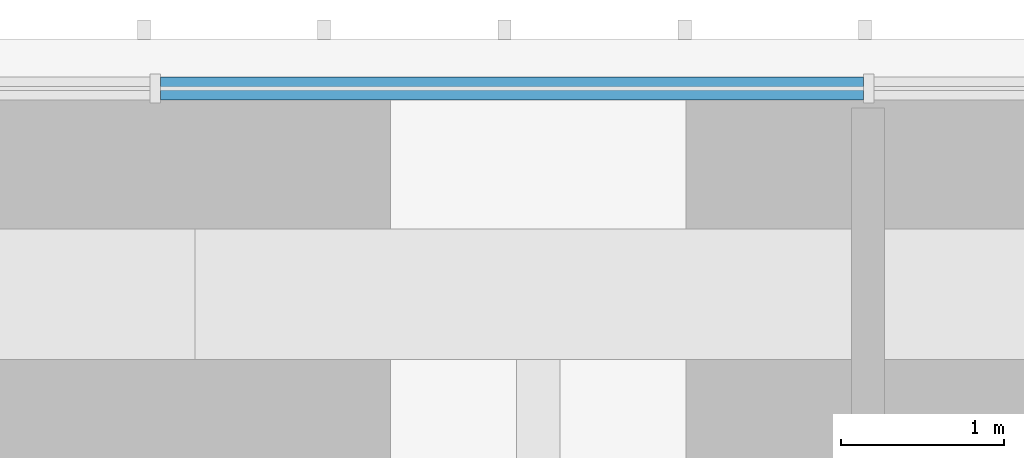
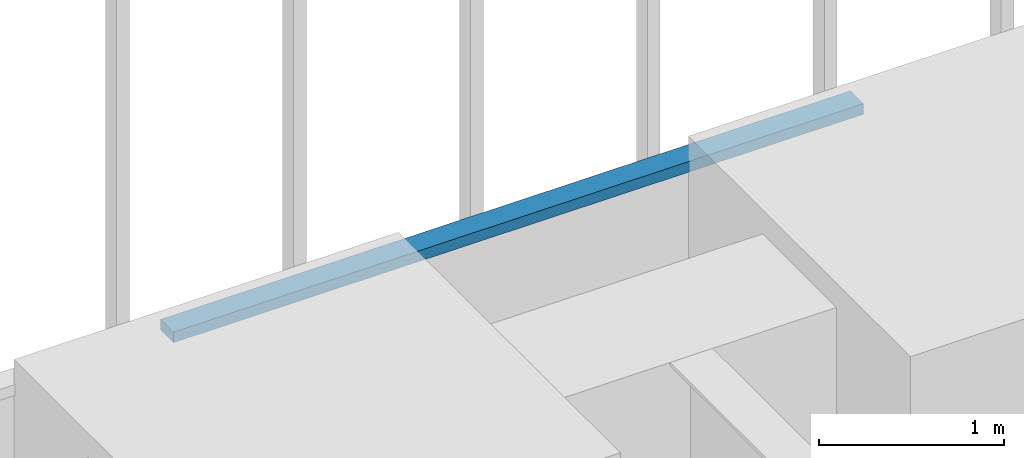
# One storey, part 183 of 256: 1 member, 1 element without a shape of its own.
"""IFC4 building model written with IfcOpenShell, lengths in metres."""

from ifc_helpers import new_model, si_unit, direction, frame, origin, origin_2d, place, context, subcontext, project, spatial, rectangle, extrude, material, material_profile, profile_set, type_object, element, aggregate, save


model = new_model("IFC4")

# Units and contexts
model_context = context("Model", 3, precision=1e-05, world=origin(), true_north=direction((0.0, 1.0)))
body_context = subcontext(model_context, "Body", "Model", "MODEL_VIEW")
ifc_project = project(units=[si_unit("LENGTHUNIT", "METRE"), si_unit("AREAUNIT", "SQUARE_METRE"), si_unit("VOLUMEUNIT", "CUBIC_METRE"), si_unit("PLANEANGLEUNIT", "RADIAN"), si_unit("MASSUNIT", "GRAM", prefix="KILO")], contexts=[model_context])

# Site, building, storey
site_placement = place(None, origin())
site = spatial("IfcSite", under=ifc_project, at=site_placement, CompositionType="ELEMENT")
building_placement = place(site_placement, origin())
building = spatial("IfcBuilding", under=site, at=building_placement, Name="Sandreach Pilgrim Tower", CompositionType="ELEMENT")
storey_placement = place(building_placement, frame((0.0, 0.0, 23.0)))
storey = spatial("IfcBuildingStorey", under=building, at=storey_placement, Name="L04", CompositionType="ELEMENT", Elevation=23.0)

# Curtain wall, member
ifc_material_1 = material(Name="Aluminium framed curtain wall", Category="aluminium")
curtain_wall_type = type_object("IfcCurtainWallType", Name="Hostel tower curtain wall", PredefinedType="NOTDEFINED", material=ifc_material_1)
curtain_wall_placement = place(storey_placement, origin())
curtain_wall = element("IfcCurtainWall", 1, at=curtain_wall_placement, inside=storey, type_object=curtain_wall_type, Name="CW-1 L04 N", PredefinedType="NOTDEFINED")
ifc_material_2 = material(Name="Aluminium extrusion", Category="aluminium")
ifc_material_profile = material_profile(ifc_material_2, rectangle(XDim=0.139892578125, YDim=0.070068359375, at=origin_2d()), Name="CW-1T 140X70")
ifc_profile_set = profile_set([ifc_material_profile], Name="Aluminium extrusion")
member_type = type_object("IfcMemberType", Name="CW-1 transom", PredefinedType="USERDEFINED", material=ifc_profile_set)
member_placement = place(storey_placement, frame((-6.52490234375, 23.94873046875, 3.60498046875), z_axis=(1.0, 0.0, 0.0), x_axis=(0.0, 1.0, 0.0)))
member = element("IfcMember", 2, at=member_placement, type_object=member_type, Name="CW-1 head transom 4", ObjectType="TRANSOM", PredefinedType="USERDEFINED", context=body_context, shape_type="SweptSolid", body=[
    extrude(rectangle(XDim=0.139892578125, YDim=0.070068359375, at=origin_2d()), origin(), (0.0, 0.0, 1.0), 4.306640625),
])
aggregate(curtain_wall, [member])

save(model, "model.ifc")
